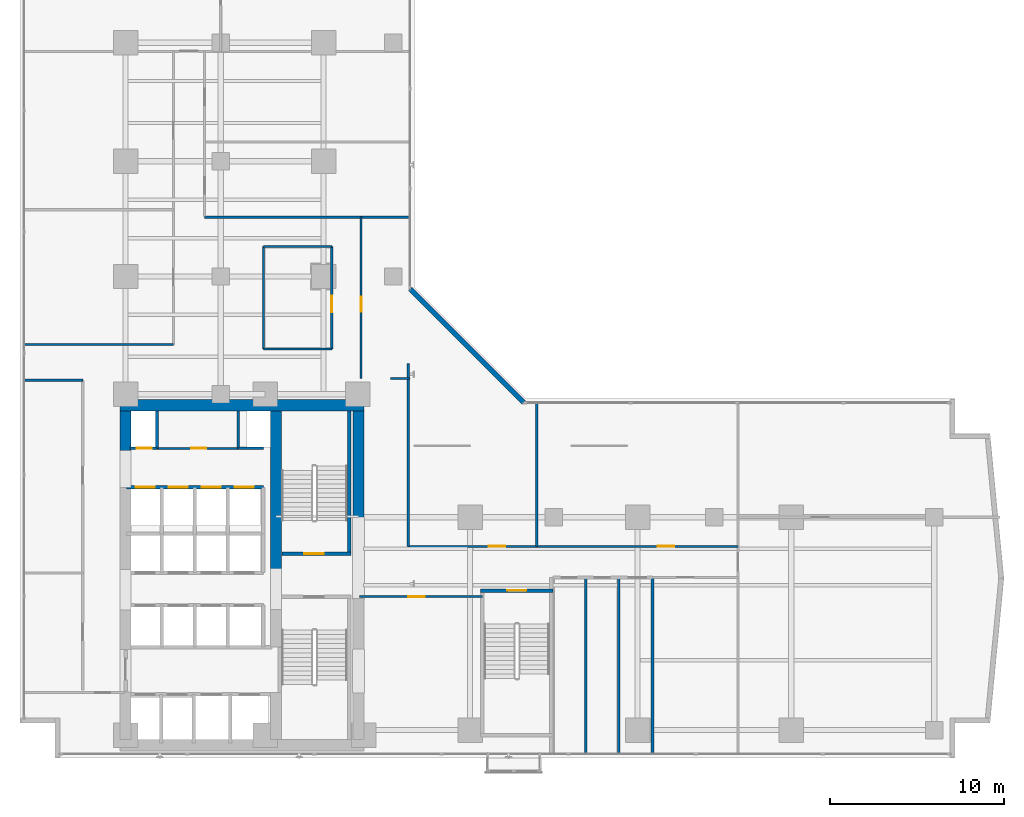
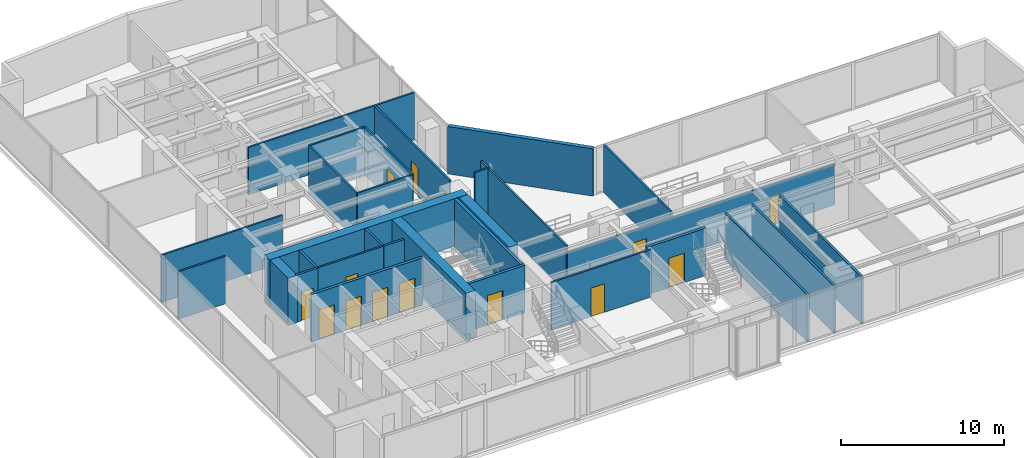
# One storey, part 20 of 26: 30 walls, 13 doors, 13 openings.
"""IFC4 building model written with IfcOpenShell, lengths in metres."""

from ifc_helpers import new_model, si_unit, direction, frame, frame_2d, origin, place, context, subcontext, project, spatial, rectangle, extrude, material, layer, layer_set, type_object, element, fill, save


model = new_model("IFC4")

# Units and contexts
model_context = context("Model", 3, precision=1e-05, world=origin(), true_north=direction((0.0, 1.0)))
body_context = subcontext(model_context, "Body", "Model", "MODEL_VIEW")
ifc_project = project(units=[si_unit("LENGTHUNIT", "METRE"), si_unit("AREAUNIT", "SQUARE_METRE"), si_unit("VOLUMEUNIT", "CUBIC_METRE"), si_unit("PLANEANGLEUNIT", "RADIAN"), si_unit("MASSUNIT", "GRAM", prefix="KILO")], contexts=[model_context])

# Site, building, storey
site_placement = place(None, origin())
site = spatial("IfcSite", under=ifc_project, at=site_placement, CompositionType="ELEMENT")
building_placement = place(site_placement, origin())
building = spatial("IfcBuilding", under=site, at=building_placement, Name="Kolvaren Waterfront Exchange", CompositionType="ELEMENT")
storey_placement = place(building_placement, frame((0.0, 0.0, 110.699951171875)))
storey = spatial("IfcBuildingStorey", under=building, at=storey_placement, Name="L28", CompositionType="ELEMENT", Elevation=110.699951171875)

# Wall
ifc_material_1 = material(Name="Precast concrete C40/50", Category="concrete")
ifc_layer_1 = layer(ifc_material_1, 0.280029296875, Name="Precast concrete C40/50")
ifc_layer_set_1 = layer_set([ifc_layer_1], Name="Precast concrete C40/50")
wall_type_1 = type_object("IfcWallType", Name="ARC-EXT-TERR-280", PredefinedType="SOLIDWALL", material=ifc_layer_set_1)
wall_1_placement = place(storey_placement, frame((30.284912109375, 23.97509765625, 0.0), z_axis=(0.0, 0.0, 1.0), x_axis=(-0.707106781187, 0.707106781187, 0.0)))
element("IfcWall", 1, at=wall_1_placement, inside=storey, type_object=wall_type_1, Name="L28 notched corner spandrel pier ELBOW", PredefinedType="SOLIDWALL", context=body_context, shape_type="SweptSolid", body=[
    extrude(rectangle(XDim=9.20654296875, YDim=0.280029296875, at=frame_2d((4.603271484375, 0.0))), origin(), (0.0, 0.0, 1.0), 3.5400390625),
])

# Wall, opening, door
ifc_layer_2 = layer(ifc_material_1, 0.199951171875, Name="Precast concrete C40/50")
ifc_layer_set_2 = layer_set([ifc_layer_2], Name="Precast concrete C40/50")
wall_type_2 = type_object("IfcWallType", Name="ARC-FIRE-200", PredefinedType="PARTITIONING", material=ifc_layer_set_2)
wall_2_placement = place(storey_placement, frame((16.409912109375, 15.300048828125, 0.0), z_axis=(0.0, 0.0, 1.0), x_axis=(1.0, 0.0, 0.0)))
wall_2 = element("IfcWall", 2, at=wall_2_placement, inside=storey, type_object=wall_type_2, Name="L28 interior wall PW-L28-ST2-THROAT-N", PredefinedType="PARTITIONING", context=body_context, shape_type="SweptSolid", body=[
    extrude(rectangle(XDim=3.9501953125, YDim=0.199951171875, at=frame_2d((1.97509765625, 0.0))), origin(), (0.0, 0.0, 1.0), 3.5400390625),
])
opening_1_placement = place(wall_2_placement, frame((1.293701171875, 0.0, 0.0)))
opening_1 = element("IfcOpeningElement", 3, at=opening_1_placement, cuts=wall_2, Name="Opening FD2", PredefinedType="OPENING", context=body_context, shape_type="SweptSolid", body=[
    extrude(rectangle(XDim=1.10009765625, YDim=2.199951171875, at=frame_2d((0.550048828125, 1.10009765625))), frame((0.0, 0.10986328125, 0.0), z_axis=(0.0, -1.0, 0.0), x_axis=(1.0, 0.0, 0.0)), (0.0, 0.0, 1.0), 0.219970703125),
])
ifc_material_2 = material(Name="Pressed steel smoke-seal fire door", Category="steel")
door_type_1 = type_object("IfcDoorType", Name="ARC-FD-1100", OperationType="NOTDEFINED", PredefinedType="DOOR", material=ifc_material_2)
door_1_placement = place(opening_1_placement, origin())
door_1 = element("IfcDoor", 4, at=door_1_placement, inside=storey, type_object=door_type_1, Name="L28 door DR-L28-ST2-IN (FD2)", OperationType="SINGLE_SWING_LEFT", OverallHeight=2.199951171875, OverallWidth=1.10009765625, PredefinedType="DOOR", context=body_context, shape_type="SweptSolid", body=[
    extrude(rectangle(XDim=1.10009765625, YDim=2.199951171875, at=frame_2d((0.550048828125, 1.10009765625))), frame((0.0, 0.02490234375, 0.0), z_axis=(0.0, -1.0, 0.0), x_axis=(1.0, 0.0, 0.0)), (0.0, 0.0, 1.0), 0.050048828125),
])
fill(opening_1, door_1)

ifc_material_3 = material(Name="Acoustic gypsum steel stud", Category="steel")
ifc_layer_3 = layer(ifc_material_3, 0.125, Name="Acoustic gypsum steel stud")
ifc_layer_set_3 = layer_set([ifc_layer_3], Name="Acoustic gypsum steel stud")
wall_type_3 = type_object("IfcWallType", Name="ARC-PART-125", PredefinedType="PARTITIONING", material=ifc_layer_set_3)
wall_3_placement = place(storey_placement, frame((9.25, 21.35009765625, 0.0), z_axis=(0.0, 0.0, 1.0), x_axis=(1.0, 0.0, 0.0)))
wall_3 = element("IfcWall", 5, at=wall_3_placement, inside=storey, type_object=wall_type_3, Name="L28 interior wall PW-L28-SVC-HI-S", PredefinedType="PARTITIONING", context=body_context, shape_type="SweptSolid", body=[
    extrude(rectangle(XDim=4.64990234375, YDim=0.125, at=frame_2d((2.324951171875, 0.0))), origin(), (0.0, 0.0, 1.0), 3.5400390625),
])
opening_2_placement = place(wall_3_placement, frame((1.971435546875, 0.0, 0.0)))
opening_2 = element("IfcOpeningElement", 6, at=opening_2_placement, cuts=wall_3, Name="Opening D01", PredefinedType="OPENING", context=body_context, shape_type="SweptSolid", body=[
    extrude(rectangle(XDim=0.85009765625, YDim=2.14990234375, at=frame_2d((0.425048828125, 1.074951171875))), frame((0.0, 0.072509765625, 0.0), z_axis=(0.0, -1.0, 0.0), x_axis=(1.0, 0.0, 0.0)), (0.0, 0.0, 1.0), 0.14501953125),
])
ifc_material_4 = material(Name="Oak veneer timber leaf", Category="wood")
door_type_2 = type_object("IfcDoorType", Name="ARC-DR-900", OperationType="NOTDEFINED", PredefinedType="DOOR", material=ifc_material_4)
door_2_placement = place(opening_2_placement, origin())
door_2 = element("IfcDoor", 7, at=door_2_placement, inside=storey, type_object=door_type_2, Name="L28 door DR-L28-SVC-DR-1 (D01)", OperationType="SINGLE_SWING_LEFT", OverallHeight=2.14990234375, OverallWidth=0.85009765625, PredefinedType="DOOR", context=body_context, shape_type="SweptSolid", body=[
    extrude(rectangle(XDim=0.85009765625, YDim=2.14990234375, at=frame_2d((0.425048828125, 1.074951171875))), frame((0.0, 0.02490234375, 0.0), z_axis=(0.0, -1.0, 0.0), x_axis=(1.0, 0.0, 0.0)), (0.0, 0.0, 1.0), 0.050048828125),
])
fill(opening_2, door_2)

# Walls
for number, where, z_axis, x_axis, name in (
    (8, (15.35009765625, 27.050048828125, 0.0), (0.0, 0.0, 1.0), (1.0, 0.0, 0.0), "L28 interior wall PW-L28-ISL-S"),
    (9, (15.35009765625, 32.919921875, 0.0), (0.0, 0.0, 1.0), (1.0, 0.0, 0.0), "L28 interior wall PW-L28-ISL-N"),
):
    element("IfcWall", number, at=place(storey_placement, frame(where, z_axis=z_axis, x_axis=x_axis)), inside=storey, type_object=wall_type_3, Name=name, PredefinedType="PARTITIONING", context=body_context, shape_type="SweptSolid", body=[
        extrude(rectangle(XDim=3.919921875, YDim=0.125, at=frame_2d((1.9599609375, 0.0))), origin(), (0.0, 0.0, 1.0), 3.5400390625),
    ])
wall_4_placement = place(storey_placement, frame((15.35009765625, 27.050048828125, 0.0), z_axis=(0.0, 0.0, 1.0), x_axis=(0.0, 1.0, 0.0)))
element("IfcWall", 10, at=wall_4_placement, inside=storey, type_object=wall_type_3, Name="L28 interior wall PW-L28-ISL-W", PredefinedType="PARTITIONING", context=body_context, shape_type="SweptSolid", body=[
    extrude(rectangle(XDim=5.869873046875, YDim=0.125, at=frame_2d((2.93505859375, 0.0))), origin(), (0.0, 0.0, 1.0), 3.5400390625),
])

# Wall, opening, door
wall_5_placement = place(storey_placement, frame((19.27001953125, 27.050048828125, 0.0), z_axis=(0.0, 0.0, 1.0), x_axis=(0.0, 1.0, 0.0)))
wall_5 = element("IfcWall", 11, at=wall_5_placement, inside=storey, type_object=wall_type_3, Name="L28 interior wall PW-L28-ISL-E", PredefinedType="PARTITIONING", context=body_context, shape_type="SweptSolid", body=[
    extrude(rectangle(XDim=5.869873046875, YDim=0.125, at=frame_2d((2.93505859375, 0.0))), origin(), (0.0, 0.0, 1.0), 3.5400390625),
])
opening_3_placement = place(wall_5_placement, frame((2.106201171875, 0.0, 0.0)))
opening_3 = element("IfcOpeningElement", 12, at=opening_3_placement, cuts=wall_5, Name="Opening D02", PredefinedType="OPENING", context=body_context, shape_type="SweptSolid", body=[
    extrude(rectangle(XDim=0.949951171875, YDim=2.14990234375, at=frame_2d((0.47509765625, 1.074951171875))), frame((0.0, 0.072509765625, 0.0), z_axis=(0.0, -1.0, 0.0), x_axis=(1.0, 0.0, 0.0)), (0.0, 0.0, 1.0), 0.14501953125),
])
ifc_material_5 = material(Name="Oak veneer acoustic timber", Category="wood")
door_type_3 = type_object("IfcDoorType", Name="ARC-DR-950", OperationType="NOTDEFINED", PredefinedType="DOOR", material=ifc_material_5)
door_3_placement = place(opening_3_placement, origin())
door_3 = element("IfcDoor", 13, at=door_3_placement, inside=storey, type_object=door_type_3, Name="L28 door DR-L28-ISL-D (D02)", OperationType="SINGLE_SWING_RIGHT", OverallHeight=2.14990234375, OverallWidth=0.949951171875, PredefinedType="DOOR", context=body_context, shape_type="SweptSolid", body=[
    extrude(rectangle(XDim=0.949951171875, YDim=2.14990234375, at=frame_2d((0.47509765625, 1.074951171875))), frame((0.0, 0.02490234375, 0.0), z_axis=(0.0, -1.0, 0.0), x_axis=(1.0, 0.0, 0.0)), (0.0, 0.0, 1.0), 0.050048828125),
])
fill(opening_3, door_3)

# Wall
wall_6_placement = place(storey_placement, frame((1.639892578125, 25.25, 0.0), z_axis=(0.0, 0.0, 1.0), x_axis=(1.0, 0.0, 0.0)))
element("IfcWall", 14, at=wall_6_placement, inside=storey, type_object=wall_type_3, Name="L28 interior wall PW-L28-WFLANK-N", PredefinedType="PARTITIONING", context=body_context, shape_type="SweptSolid", body=[
    extrude(rectangle(XDim=3.360107421875, YDim=0.125, at=frame_2d((1.68017578125, 0.0))), origin(), (0.0, 0.0, 1.0), 3.5400390625),
])

# Wall, opening, door
wall_7_placement = place(storey_placement, frame((20.85009765625, 12.85009765625, 0.0), z_axis=(0.0, 0.0, 1.0), x_axis=(1.0, 0.0, 0.0)))
wall_7 = element("IfcWall", 15, at=wall_7_placement, inside=storey, type_object=wall_type_3, Name="L28 interior wall PW-L28-SWST3-N", PredefinedType="PARTITIONING", context=body_context, shape_type="SweptSolid", body=[
    extrude(rectangle(XDim=7.0498046875, YDim=0.125, at=frame_2d((3.52490234375, 0.0))), origin(), (0.0, 0.0, 1.0), 3.5400390625),
])
opening_4_placement = place(wall_7_placement, frame((2.800048828125, 0.0, 0.0)))
opening_4 = element("IfcOpeningElement", 16, at=opening_4_placement, cuts=wall_7, Name="Opening D02", PredefinedType="OPENING", context=body_context, shape_type="SweptSolid", body=[
    extrude(rectangle(XDim=0.949951171875, YDim=2.14990234375, at=frame_2d((0.47509765625, 1.074951171875))), frame((0.0, 0.072509765625, 0.0), z_axis=(0.0, -1.0, 0.0), x_axis=(1.0, 0.0, 0.0)), (0.0, 0.0, 1.0), 0.14501953125),
])
door_4_placement = place(opening_4_placement, origin())
door_4 = element("IfcDoor", 17, at=door_4_placement, inside=storey, type_object=door_type_3, Name="L28 door DR-L28-SWST3-D (D02)", OperationType="SINGLE_SWING_LEFT", OverallHeight=2.14990234375, OverallWidth=0.949951171875, PredefinedType="DOOR", context=body_context, shape_type="SweptSolid", body=[
    extrude(rectangle(XDim=0.949951171875, YDim=2.14990234375, at=frame_2d((0.47509765625, 1.074951171875))), frame((0.0, 0.02490234375, 0.0), z_axis=(0.0, -1.0, 0.0), x_axis=(1.0, 0.0, 0.0)), (0.0, 0.0, 1.0), 0.050048828125),
])
fill(opening_4, door_4)

wall_8_placement = place(storey_placement, frame((20.949951171875, 25.35009765625, 0.0), z_axis=(0.0, 0.0, 1.0), x_axis=(0.0, 1.0, 0.0)))
wall_8 = element("IfcWall", 18, at=wall_8_placement, inside=storey, type_object=wall_type_3, Name="L28 interior wall PW-L28-RFLANK-W", PredefinedType="PARTITIONING", context=body_context, shape_type="SweptSolid", body=[
    extrude(rectangle(XDim=9.25, YDim=0.125, at=frame_2d((4.625, 0.0))), origin(), (0.0, 0.0, 1.0), 3.5400390625),
])
opening_5_placement = place(wall_8_placement, frame((3.8330078125, 0.0, 0.0)))
opening_5 = element("IfcOpeningElement", 19, at=opening_5_placement, cuts=wall_8, Name="Opening D01", PredefinedType="OPENING", context=body_context, shape_type="SweptSolid", body=[
    extrude(rectangle(XDim=0.85009765625, YDim=2.14990234375, at=frame_2d((0.425048828125, 1.074951171875))), frame((0.0, 0.072509765625, 0.0), z_axis=(0.0, -1.0, 0.0), x_axis=(1.0, 0.0, 0.0)), (0.0, 0.0, 1.0), 0.14501953125),
])
door_5_placement = place(opening_5_placement, origin())
door_5 = element("IfcDoor", 20, at=door_5_placement, inside=storey, type_object=door_type_2, Name="L28 door DR-L28-RFLANK-D (D01)", OperationType="SINGLE_SWING_RIGHT", OverallHeight=2.14990234375, OverallWidth=0.85009765625, PredefinedType="DOOR", context=body_context, shape_type="SweptSolid", body=[
    extrude(rectangle(XDim=0.85009765625, YDim=2.14990234375, at=frame_2d((0.425048828125, 1.074951171875))), frame((0.0, 0.02490234375, 0.0), z_axis=(0.0, -1.0, 0.0), x_axis=(1.0, 0.0, 0.0)), (0.0, 0.0, 1.0), 0.050048828125),
])
fill(opening_5, door_5)

# Walls
wall_9_placement = place(storey_placement, frame((22.64990234375, 25.35009765625, 0.0), z_axis=(0.0, 0.0, 1.0), x_axis=(1.0, 0.0, 0.0)))
element("IfcWall", 21, at=wall_9_placement, inside=storey, type_object=wall_type_3, Name="L28 interior wall PW-L28-RFLANK-S", PredefinedType="PARTITIONING", context=body_context, shape_type="SweptSolid", body=[
    extrude(rectangle(XDim=1.110107421875, YDim=0.125, at=frame_2d((0.55517578125, 0.0))), origin(), (0.0, 0.0, 1.0), 3.5400390625),
])
wall_10_placement = place(storey_placement, frame((11.97998046875, 34.60009765625, 0.0), z_axis=(0.0, 0.0, 1.0), x_axis=(1.0, 0.0, 0.0)))
element("IfcWall", 22, at=wall_10_placement, inside=storey, type_object=wall_type_3, Name="L28 interior wall PW-L28-RFLANK-N", PredefinedType="PARTITIONING", context=body_context, shape_type="SweptSolid", body=[
    extrude(rectangle(XDim=11.780029296875, YDim=0.125, at=frame_2d((5.89013671875, 0.0))), origin(), (0.0, 0.0, 1.0), 3.5400390625),
])
wall_11_placement = place(storey_placement, frame((23.64990234375, 15.72998046875, 0.0), z_axis=(0.0, 0.0, 1.0), x_axis=(0.0, 1.0, 0.0)))
element("IfcWall", 23, at=wall_11_placement, inside=storey, type_object=wall_type_3, Name="L28 interior wall PW-L28-EN-W0", PredefinedType="PARTITIONING", context=body_context, shape_type="SweptSolid", body=[
    extrude(rectangle(XDim=10.469970703125, YDim=0.125, at=frame_2d((5.23486328125, 0.0))), origin(), (0.0, 0.0, 1.0), 3.5400390625),
])

# Wall, openings, doors
wall_12_placement = place(storey_placement, frame((23.64990234375, 15.72998046875, 0.0), z_axis=(0.0, 0.0, 1.0), x_axis=(1.0, 0.0, 0.0)))
wall_12 = element("IfcWall", 24, at=wall_12_placement, inside=storey, type_object=wall_type_3, Name="L28 interior wall PW-L28-EN-CORR", PredefinedType="PARTITIONING", context=body_context, shape_type="SweptSolid", body=[
    extrude(rectangle(XDim=18.900146484375, YDim=0.125, at=frame_2d((9.4501953125, 0.0))), origin(), (0.0, 0.0, 1.0), 3.090087890625),
])
opening_6_placement = place(wall_12_placement, frame((4.614990234375, 0.0, 0.0)))
opening_6 = element("IfcOpeningElement", 25, at=opening_6_placement, cuts=wall_12, Name="Opening D02", PredefinedType="OPENING", context=body_context, shape_type="SweptSolid", body=[
    extrude(rectangle(XDim=0.949951171875, YDim=2.14990234375, at=frame_2d((0.47509765625, 1.074951171875))), frame((0.0, 0.072509765625, 0.0), z_axis=(0.0, -1.0, 0.0), x_axis=(1.0, 0.0, 0.0)), (0.0, 0.0, 1.0), 0.14501953125),
])
opening_7_placement = place(wall_12_placement, frame((14.2900390625, 0.0, 0.0)))
opening_7 = element("IfcOpeningElement", 26, at=opening_7_placement, cuts=wall_12, Name="Opening D02", PredefinedType="OPENING", context=body_context, shape_type="SweptSolid", body=[
    extrude(rectangle(XDim=0.949951171875, YDim=2.14990234375, at=frame_2d((0.47509765625, 1.074951171875))), frame((0.0, 0.072509765625, 0.0), z_axis=(0.0, -1.0, 0.0), x_axis=(1.0, 0.0, 0.0)), (0.0, 0.0, 1.0), 0.14501953125),
])
door_6_placement = place(opening_6_placement, origin())
door_6 = element("IfcDoor", 27, at=door_6_placement, inside=storey, type_object=door_type_3, Name="L28 door DR-L28-EN-D-1 (D02)", OperationType="SINGLE_SWING_RIGHT", OverallHeight=2.14990234375, OverallWidth=0.949951171875, PredefinedType="DOOR", context=body_context, shape_type="SweptSolid", body=[
    extrude(rectangle(XDim=0.949951171875, YDim=2.14990234375, at=frame_2d((0.47509765625, 1.074951171875))), frame((0.0, 0.02490234375, 0.0), z_axis=(0.0, -1.0, 0.0), x_axis=(1.0, 0.0, 0.0)), (0.0, 0.0, 1.0), 0.050048828125),
])
fill(opening_6, door_6)
door_7_placement = place(opening_7_placement, origin())
door_7 = element("IfcDoor", 28, at=door_7_placement, inside=storey, type_object=door_type_3, Name="L28 door DR-L28-EN-D-2 (D02)", OperationType="SINGLE_SWING_LEFT", OverallHeight=2.14990234375, OverallWidth=0.949951171875, PredefinedType="DOOR", context=body_context, shape_type="SweptSolid", body=[
    extrude(rectangle(XDim=0.949951171875, YDim=2.14990234375, at=frame_2d((0.47509765625, 1.074951171875))), frame((0.0, 0.02490234375, 0.0), z_axis=(0.0, -1.0, 0.0), x_axis=(1.0, 0.0, 0.0)), (0.0, 0.0, 1.0), 0.050048828125),
])
fill(opening_7, door_7)

# Walls
wall_13_placement = place(storey_placement, frame((31.02001953125, 15.72998046875, 0.0), z_axis=(0.0, 0.0, 1.0), x_axis=(0.0, 1.0, 0.0)))
element("IfcWall", 29, at=wall_13_placement, inside=storey, type_object=wall_type_3, Name="L28 interior wall PW-L28-EN-DIV-1", PredefinedType="PARTITIONING", context=body_context, shape_type="SweptSolid", body=[
    extrude(rectangle(XDim=8.22998046875, YDim=0.125, at=frame_2d((4.114990234375, 0.0))), origin(), (0.0, 0.0, 1.0), 3.5400390625),
])
wall_14_placement = place(storey_placement, frame((1.639892578125, 27.300048828125, 0.0), z_axis=(0.0, 0.0, 1.0), x_axis=(1.0, 0.0, 0.0)))
element("IfcWall", 30, at=wall_14_placement, inside=storey, type_object=wall_type_3, Name="L28 interior wall PW-L28-NW-S0", PredefinedType="PARTITIONING", context=body_context, shape_type="SweptSolid", body=[
    extrude(rectangle(XDim=8.56005859375, YDim=0.125, at=frame_2d((4.280029296875, 0.0))), origin(), (0.0, 0.0, 1.0), 3.5400390625),
])
ifc_material_6 = material(Name="Gypsum fireboard steel stud", Category="steel")
ifc_layer_4 = layer(ifc_material_6, 0.14990234375, Name="Gypsum fireboard steel stud")
ifc_layer_set_4 = layer_set([ifc_layer_4], Name="Gypsum fireboard steel stud")
wall_type_4 = type_object("IfcWallType", Name="ARC-PART-150", PredefinedType="PARTITIONING", material=ifc_layer_set_4)
for number, where, z_axis, x_axis, name in (
    (31, (9.25, 21.35009765625, 0.0), (0.0, 0.0, 1.0), (0.0, 1.0, 0.0), "L28 interior wall PW-L28-SVC-R1"),
    (32, (13.89990234375, 21.35009765625, 0.0), (0.0, 0.0, 1.0), (0.0, 1.0, 0.0), "L28 interior wall PW-L28-SVC-R2"),
):
    element("IfcWall", number, at=place(storey_placement, frame(where, z_axis=z_axis, x_axis=x_axis)), inside=storey, type_object=wall_type_4, Name=name, PredefinedType="PARTITIONING", context=body_context, shape_type="SweptSolid", body=[
        extrude(rectangle(XDim=2.1298828125, YDim=0.14990234375, at=frame_2d((1.06494140625, 0.0))), origin(), (0.0, 0.0, 1.0), 3.5400390625),
    ])

# Wall, opening, door
wall_15_placement = place(storey_placement, frame((7.699951171875, 21.35009765625, 0.0), z_axis=(0.0, 0.0, 1.0), x_axis=(1.0, 0.0, 0.0)))
wall_15 = element("IfcWall", 33, at=wall_15_placement, inside=storey, type_object=wall_type_4, Name="L28 interior wall PW-L28-SVC-RE-S", PredefinedType="PARTITIONING", context=body_context, shape_type="SweptSolid", body=[
    extrude(rectangle(XDim=1.550048828125, YDim=0.14990234375, at=frame_2d((0.77490234375, 0.0))), origin(), (0.0, 0.0, 1.0), 3.5400390625),
])
opening_8_placement = place(wall_15_placement, frame((0.389892578125, 0.0, 0.0)))
opening_8 = element("IfcOpeningElement", 34, at=opening_8_placement, cuts=wall_15, Name="Opening FD1", PredefinedType="OPENING", context=body_context, shape_type="SweptSolid", body=[
    extrude(rectangle(XDim=0.85009765625, YDim=2.14990234375, at=frame_2d((0.425048828125, 1.074951171875))), frame((0.0, 0.0849609375, 0.0), z_axis=(0.0, -1.0, 0.0), x_axis=(1.0, 0.0, 0.0)), (0.0, 0.0, 1.0), 0.169921875),
])
ifc_material_7 = material(Name="Pressed steel fire leaf", Category="steel")
door_type_4 = type_object("IfcDoorType", Name="ARC-FD-900", OperationType="NOTDEFINED", PredefinedType="DOOR", material=ifc_material_7)
door_8_placement = place(opening_8_placement, origin())
door_8 = element("IfcDoor", 35, at=door_8_placement, inside=storey, type_object=door_type_4, Name="L28 door DR-L28-RISER-E-DR (FD1)", OperationType="SINGLE_SWING_RIGHT", OverallHeight=2.14990234375, OverallWidth=0.85009765625, PredefinedType="DOOR", context=body_context, shape_type="SweptSolid", body=[
    extrude(rectangle(XDim=0.85009765625, YDim=2.14990234375, at=frame_2d((0.425048828125, 1.074951171875))), frame((0.0, 0.02490234375, 0.0), z_axis=(0.0, -1.0, 0.0), x_axis=(1.0, 0.0, 0.0)), (0.0, 0.0, 1.0), 0.050048828125),
])
fill(opening_8, door_8)

# Walls
wall_16_placement = place(storey_placement, frame((13.89990234375, 21.35009765625, 0.0), z_axis=(0.0, 0.0, 1.0), x_axis=(1.0, 0.0, 0.0)))
element("IfcWall", 36, at=wall_16_placement, inside=storey, type_object=wall_type_4, Name="L28 interior wall PW-L28-SVC-RP-S", PredefinedType="PARTITIONING", context=body_context, shape_type="SweptSolid", body=[
    extrude(rectangle(XDim=1.4501953125, YDim=0.14990234375, at=frame_2d((0.72509765625, 0.0))), origin(), (0.0, 0.0, 1.0), 3.5400390625),
])
ifc_material_8 = material(Name="Moisture-resistant gypsum stud")
ifc_layer_5 = layer(ifc_material_8, 0.14990234375, Name="Moisture-resistant gypsum stud")
ifc_layer_set_5 = layer_set([ifc_layer_5], Name="Moisture-resistant gypsum stud")
wall_type_5 = type_object("IfcWallType", Name="ARC-PLUMB-150", PredefinedType="PLUMBINGWALL", material=ifc_layer_set_5)
for number, where, z_axis, x_axis, name in (
    (37, (33.830078125, 3.840087890625, 0.0), (0.0, 0.0, 1.0), (0.0, 1.0, 0.0), "L28 interior wall PW-L28-WC-1"),
    (38, (35.7099609375, 3.840087890625, 0.0), (0.0, 0.0, 1.0), (0.0, 1.0, 0.0), "L28 interior wall PW-L28-WC-2"),
    (39, (37.64990234375, 3.840087890625, 0.0), (0.0, 0.0, 1.0), (0.0, 1.0, 0.0), "L28 interior wall PW-L28-WC-3"),
):
    element("IfcWall", number, at=place(storey_placement, frame(where, z_axis=z_axis, x_axis=x_axis)), inside=storey, type_object=wall_type_5, Name=name, PredefinedType="PLUMBINGWALL", context=body_context, shape_type="SweptSolid", body=[
        extrude(rectangle(XDim=10.10986328125, YDim=0.14990234375, at=frame_2d((5.054931640625, 0.0))), origin(), (0.0, 0.0, 1.0), 3.5400390625),
    ])
ifc_material_9 = material(Name="Concrete C40/50", Category="concrete")
ifc_layer_6 = layer(ifc_material_9, 0.199951171875, Name="Concrete C40/50")
ifc_layer_set_6 = layer_set([ifc_layer_6], Name="Concrete C40/50")
wall_type_6 = type_object("IfcWallType", Name="ARC-SHAFT-200", PredefinedType="PARTITIONING", material=ifc_layer_set_6)
wall_17_placement = place(storey_placement, frame((20.260009765625, 15.39990234375, 0.0), z_axis=(0.0, 0.0, 1.0), x_axis=(0.0, 1.0, 0.0)))
element("IfcWall", 40, at=wall_17_placement, inside=storey, type_object=wall_type_6, Name="L28 structural stairwell wall PW-L28-ST2-E", PredefinedType="SHEAR", context=body_context, shape_type="SweptSolid", body=[
    extrude(rectangle(XDim=8.090087890625, YDim=0.199951171875, at=frame_2d((4.044921875, 0.0))), origin(), (0.0, 0.0, 1.0), 3.5400390625),
])

# Wall, opening, door
wall_18_placement = place(storey_placement, frame((27.800048828125, 13.199951171875, 0.0), z_axis=(0.0, 0.0, 1.0), x_axis=(1.0, 0.0, 0.0)))
wall_18 = element("IfcWall", 41, at=wall_18_placement, inside=storey, type_object=wall_type_6, Name="L28 structural stairwell wall PW-L28-ST3-N", PredefinedType="SHEAR", context=body_context, shape_type="SweptSolid", body=[
    extrude(rectangle(XDim=4.159912109375, YDim=0.199951171875, at=frame_2d((2.080078125, 0.0))), origin(), (0.0, 0.0, 1.0), 3.5400390625),
])
opening_9_placement = place(wall_18_placement, frame((1.530029296875, 0.0, 0.0)))
opening_9 = element("IfcOpeningElement", 42, at=opening_9_placement, cuts=wall_18, Name="Opening FD2", PredefinedType="OPENING", context=body_context, shape_type="SweptSolid", body=[
    extrude(rectangle(XDim=1.10009765625, YDim=2.199951171875, at=frame_2d((0.550048828125, 1.10009765625))), frame((0.0, 0.10986328125, 0.0), z_axis=(0.0, -1.0, 0.0), x_axis=(1.0, 0.0, 0.0)), (0.0, 0.0, 1.0), 0.219970703125),
])
door_9_placement = place(opening_9_placement, frame((1.10009765625, 0.0, 0.0), z_axis=(0.0, 0.0, 1.0), x_axis=(-1.0, 0.0, 0.0)))
door_9 = element("IfcDoor", 43, at=door_9_placement, inside=storey, type_object=door_type_1, Name="L28 door DR-L28-ST3-IN (FD2)", OperationType="SINGLE_SWING_RIGHT", OverallHeight=2.199951171875, OverallWidth=1.10009765625, PredefinedType="DOOR", context=body_context, shape_type="SweptSolid", body=[
    extrude(rectangle(XDim=1.10009765625, YDim=2.199951171875, at=frame_2d((0.550048828125, 1.10009765625))), frame((0.0, 0.02490234375, 0.0), z_axis=(0.0, -1.0, 0.0), x_axis=(1.0, 0.0, 0.0)), (0.0, 0.0, 1.0), 0.050048828125),
])
fill(opening_9, door_9)

# Wall, openings, doors
wall_19_placement = place(storey_placement, frame((7.5, 19.1201171875, 0.0), z_axis=(0.0, 0.0, 1.0), x_axis=(1.0, 0.0, 0.0)))
wall_19 = element("IfcWall", 44, at=wall_19_placement, inside=storey, type_object=wall_type_6, Name="L28 interior wall PW-L28-PH-N", PredefinedType="PARTITIONING", context=body_context, shape_type="SweptSolid", body=[
    extrude(rectangle(XDim=7.85009765625, YDim=0.199951171875, at=frame_2d((3.925048828125, 0.0))), origin(), (0.0, 0.0, 1.0), 3.5400390625),
])
opening_10_placement = place(wall_19_placement, frame((0.530029296875, 0.0, 0.0)))
opening_10 = element("IfcOpeningElement", 45, at=opening_10_placement, cuts=wall_19, Name="Opening LD2", PredefinedType="OPENING", context=body_context, shape_type="SweptSolid", body=[
    extrude(rectangle(XDim=1.10009765625, YDim=2.199951171875, at=frame_2d((0.550048828125, 1.10009765625))), frame((0.0, 0.10986328125, 0.0), z_axis=(0.0, -1.0, 0.0), x_axis=(1.0, 0.0, 0.0)), (0.0, 0.0, 1.0), 0.219970703125),
])
opening_11_placement = place(wall_19_placement, frame((2.419921875, 0.0, 0.0)))
opening_11 = element("IfcOpeningElement", 46, at=opening_11_placement, cuts=wall_19, Name="Opening LD2", PredefinedType="OPENING", context=body_context, shape_type="SweptSolid", body=[
    extrude(rectangle(XDim=1.10009765625, YDim=2.199951171875, at=frame_2d((0.550048828125, 1.10009765625))), frame((0.0, 0.10986328125, 0.0), z_axis=(0.0, -1.0, 0.0), x_axis=(1.0, 0.0, 0.0)), (0.0, 0.0, 1.0), 0.219970703125),
])
opening_12_placement = place(wall_19_placement, frame((4.31005859375, 0.0, 0.0)))
opening_12 = element("IfcOpeningElement", 47, at=opening_12_placement, cuts=wall_19, Name="Opening LD2", PredefinedType="OPENING", context=body_context, shape_type="SweptSolid", body=[
    extrude(rectangle(XDim=1.10009765625, YDim=2.199951171875, at=frame_2d((0.550048828125, 1.10009765625))), frame((0.0, 0.10986328125, 0.0), z_axis=(0.0, -1.0, 0.0), x_axis=(1.0, 0.0, 0.0)), (0.0, 0.0, 1.0), 0.219970703125),
])
opening_13_placement = place(wall_19_placement, frame((6.199951171875, 0.0, 0.0)))
opening_13 = element("IfcOpeningElement", 48, at=opening_13_placement, cuts=wall_19, Name="Opening LD2", PredefinedType="OPENING", context=body_context, shape_type="SweptSolid", body=[
    extrude(rectangle(XDim=1.10009765625, YDim=2.199951171875, at=frame_2d((0.550048828125, 1.10009765625))), frame((0.0, 0.10986328125, 0.0), z_axis=(0.0, -1.0, 0.0), x_axis=(1.0, 0.0, 0.0)), (0.0, 0.0, 1.0), 0.219970703125),
])
ifc_material_10 = material(Name="Brushed bronze sliding landing door", Category="aluminium")
door_type_5 = type_object("IfcDoorType", Name="ARC-LD-PAX", OperationType="SLIDING_TO_LEFT", PredefinedType="DOOR", material=ifc_material_10)
door_10_placement = place(opening_10_placement, origin())
door_10 = element("IfcDoor", 49, at=door_10_placement, inside=storey, type_object=door_type_5, Name="L28 door LD-L28-PH1 (LD2)", OperationType="SLIDING_TO_LEFT", OverallHeight=2.199951171875, OverallWidth=1.10009765625, PredefinedType="DOOR", context=body_context, shape_type="SweptSolid", body=[
    extrude(rectangle(XDim=1.10009765625, YDim=2.199951171875, at=frame_2d((0.550048828125, 1.10009765625))), frame((0.0, 0.02490234375, 0.0), z_axis=(0.0, -1.0, 0.0), x_axis=(1.0, 0.0, 0.0)), (0.0, 0.0, 1.0), 0.050048828125),
])
fill(opening_10, door_10)
door_11_placement = place(opening_11_placement, origin())
door_11 = element("IfcDoor", 50, at=door_11_placement, inside=storey, type_object=door_type_5, Name="L28 door LD-L28-PH2 (LD2)", OperationType="SLIDING_TO_LEFT", OverallHeight=2.199951171875, OverallWidth=1.10009765625, PredefinedType="DOOR", context=body_context, shape_type="SweptSolid", body=[
    extrude(rectangle(XDim=1.10009765625, YDim=2.199951171875, at=frame_2d((0.550048828125, 1.10009765625))), frame((0.0, 0.02490234375, 0.0), z_axis=(0.0, -1.0, 0.0), x_axis=(1.0, 0.0, 0.0)), (0.0, 0.0, 1.0), 0.050048828125),
])
fill(opening_11, door_11)
door_12_placement = place(opening_12_placement, origin())
door_12 = element("IfcDoor", 51, at=door_12_placement, inside=storey, type_object=door_type_5, Name="L28 door LD-L28-PH3 (LD2)", OperationType="SLIDING_TO_LEFT", OverallHeight=2.199951171875, OverallWidth=1.10009765625, PredefinedType="DOOR", context=body_context, shape_type="SweptSolid", body=[
    extrude(rectangle(XDim=1.10009765625, YDim=2.199951171875, at=frame_2d((0.550048828125, 1.10009765625))), frame((0.0, 0.02490234375, 0.0), z_axis=(0.0, -1.0, 0.0), x_axis=(1.0, 0.0, 0.0)), (0.0, 0.0, 1.0), 0.050048828125),
])
fill(opening_12, door_12)
door_13_placement = place(opening_13_placement, origin())
door_13 = element("IfcDoor", 52, at=door_13_placement, inside=storey, type_object=door_type_5, Name="L28 door LD-L28-PH4 (LD2)", OperationType="SLIDING_TO_LEFT", OverallHeight=2.199951171875, OverallWidth=1.10009765625, PredefinedType="DOOR", context=body_context, shape_type="SweptSolid", body=[
    extrude(rectangle(XDim=1.10009765625, YDim=2.199951171875, at=frame_2d((0.550048828125, 1.10009765625))), frame((0.0, 0.02490234375, 0.0), z_axis=(0.0, -1.0, 0.0), x_axis=(1.0, 0.0, 0.0)), (0.0, 0.0, 1.0), 0.050048828125),
])
fill(opening_13, door_13)

# Walls
ifc_material_11 = material(Name="Concrete C60/75", Category="concrete")
ifc_layer_7 = layer(ifc_material_11, 0.64990234375, Name="Concrete C60/75")
ifc_layer_set_7 = layer_set([ifc_layer_7], Name="Concrete C60/75")
wall_type_7 = type_object("IfcWallType", Name="STR-CWALL-650", PredefinedType="SHEAR", material=ifc_layer_set_7)
wall_20_placement = place(storey_placement, frame((7.125, 23.824951171875, 0.0), z_axis=(0.0, 0.0, 1.0), x_axis=(1.0, 0.0, 0.0)))
element("IfcWall", 53, at=wall_20_placement, inside=storey, type_object=wall_type_7, Name="L28 rear-core shear wall N", PredefinedType="SHEAR", context=body_context, shape_type="SweptSolid", body=[
    extrude(rectangle(XDim=14.0, YDim=0.64990234375, at=frame_2d((7.0, 0.0))), origin(), (0.0, 0.0, 1.0), 3.5400390625),
])
wall_21_placement = place(storey_placement, frame((7.449951171875, 21.239990234375, 0.0), z_axis=(0.0, 0.0, 1.0), x_axis=(0.0, 1.0, 0.0)))
element("IfcWall", 54, at=wall_21_placement, inside=storey, type_object=wall_type_7, Name="L28 rear-core shear wall W3", PredefinedType="SHEAR", context=body_context, shape_type="SweptSolid", body=[
    extrude(rectangle(XDim=2.260009765625, YDim=0.64990234375, at=frame_2d((1.1298828125, 0.0))), origin(), (0.0, 0.0, 1.0), 3.5400390625),
])
wall_22_placement = place(storey_placement, frame((20.800048828125, 17.35009765625, 0.0), z_axis=(0.0, 0.0, 1.0), x_axis=(0.0, 1.0, 0.0)))
element("IfcWall", 55, at=wall_22_placement, inside=storey, type_object=wall_type_7, Name="L28 rear-core shear wall E3", PredefinedType="SHEAR", context=body_context, shape_type="SweptSolid", body=[
    extrude(rectangle(XDim=6.14990234375, YDim=0.64990234375, at=frame_2d((3.074951171875, 0.0))), origin(), (0.0, 0.0, 1.0), 3.5400390625),
])
wall_23_placement = place(storey_placement, frame((16.074951171875, 14.39990234375, 0.0), z_axis=(0.0, 0.0, 1.0), x_axis=(0.0, 1.0, 0.0)))
element("IfcWall", 56, at=wall_23_placement, inside=storey, type_object=wall_type_7, Name="L28 rear-core shear wall M3", PredefinedType="SHEAR", context=body_context, shape_type="SweptSolid", body=[
    extrude(rectangle(XDim=9.10009765625, YDim=0.64990234375, at=frame_2d((4.550048828125, 0.0))), origin(), (0.0, 0.0, 1.0), 3.5400390625),
])

save(model, "model.ifc")
